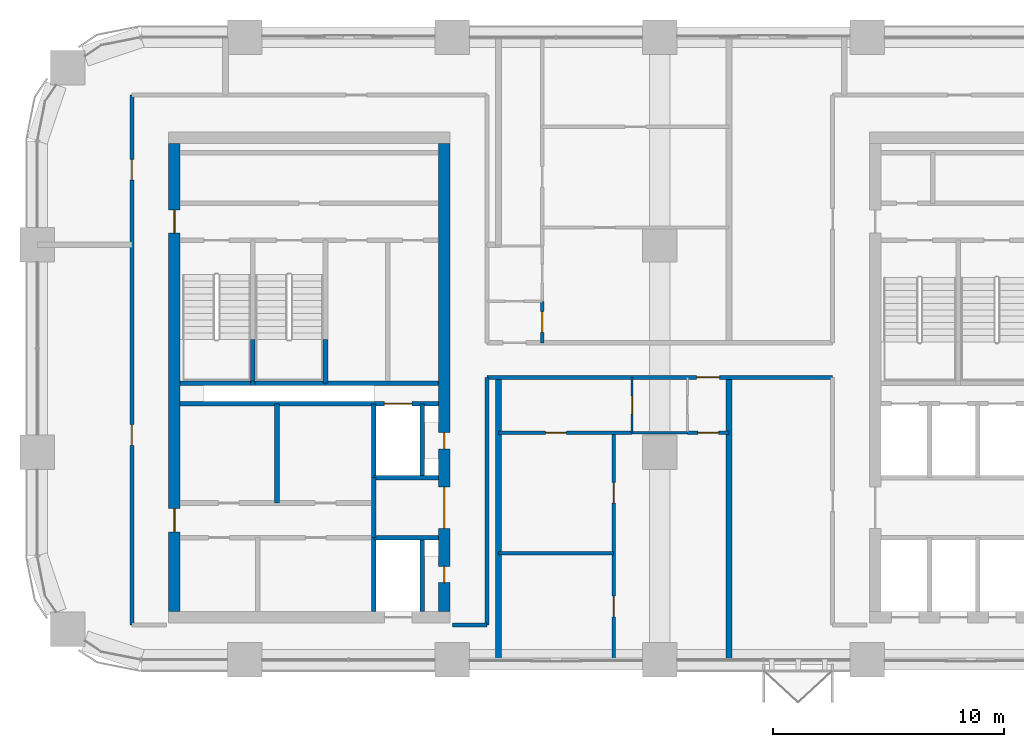
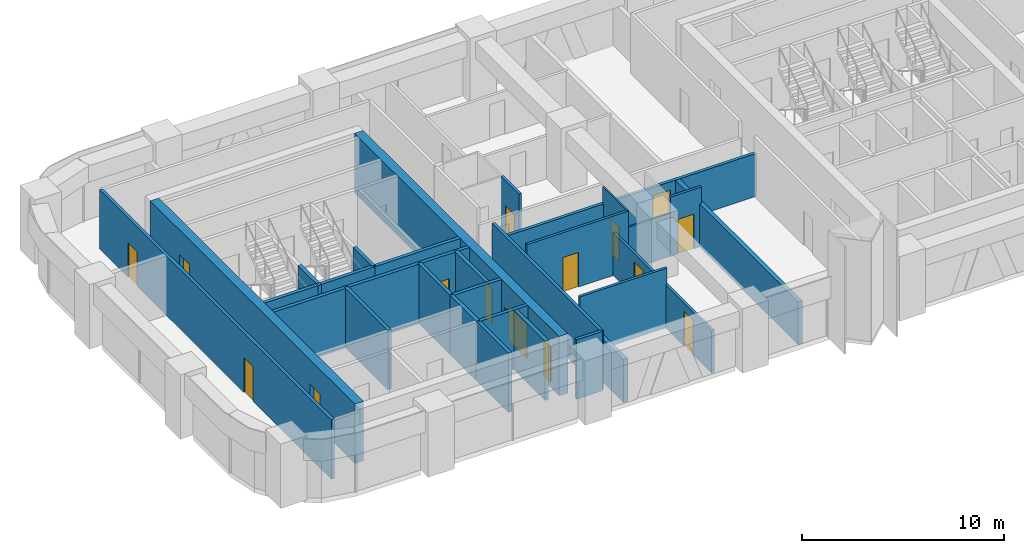
# One storey, part 9 of 14: 30 walls, 15 doors, 15 openings.
"""IFC4 building model written with IfcOpenShell, lengths in metres."""

from ifc_helpers import new_model, si_unit, direction, frame, frame_2d, origin, place, context, subcontext, project, spatial, rectangle, extrude, material, layer, layer_set, type_object, element, fill, save


model = new_model("IFC4")

# Units and contexts
model_context = context("Model", 3, precision=1e-05, world=origin(), true_north=direction((0.0, 1.0)))
body_context = subcontext(model_context, "Body", "Model", "MODEL_VIEW")
ifc_project = project(units=[si_unit("LENGTHUNIT", "METRE"), si_unit("AREAUNIT", "SQUARE_METRE"), si_unit("VOLUMEUNIT", "CUBIC_METRE"), si_unit("PLANEANGLEUNIT", "RADIAN"), si_unit("MASSUNIT", "GRAM", prefix="KILO")], contexts=[model_context])

# Site, building, storey
site_placement = place(None, origin())
site = spatial("IfcSite", under=ifc_project, at=site_placement, CompositionType="ELEMENT")
building_placement = place(site_placement, origin())
building = spatial("IfcBuilding", under=site, at=building_placement, Name="Tessera Arch", CompositionType="ELEMENT")
storey_placement = place(building_placement, frame((0.0, 0.0, 134.89990234375)))
storey = spatial("IfcBuildingStorey", under=building, at=storey_placement, Name="L31", CompositionType="ELEMENT", Elevation=134.89990234375)

# Walls
ifc_material_1 = material(Name="Gypsum board on steel stud", Category="steel")
ifc_layer_1 = layer(ifc_material_1, 0.125)
ifc_layer_set_1 = layer_set([ifc_layer_1], Name="Core partition 125 EI 60")
wall_type_1 = type_object("IfcWallType", Name="Core partition 125 EI 60", PredefinedType="PARTITIONING", material=ifc_layer_set_1)
wall_1_placement = place(storey_placement, frame((10.39990234375, 33.800048828125, 0.0), z_axis=(0.0, 0.0, 1.0), x_axis=(0.0, 1.0, 0.0)))
element("IfcWall", 1, at=wall_1_placement, inside=storey, type_object=wall_type_1, Name="L31 C2 partition wall 4", PredefinedType="PARTITIONING", context=body_context, shape_type="SweptSolid", body=[
    extrude(rectangle(XDim=4.300048828125, YDim=0.199951171875, at=frame_2d((2.14990234375, 0.0))), origin(), (0.0, 0.0, 1.0), 3.60009765625),
])
wall_2_placement = place(storey_placement, frame((14.60009765625, 32.300048828125, 0.0), z_axis=(0.0, 0.0, 1.0), x_axis=(0.0, 1.0, 0.0)))
element("IfcWall", 2, at=wall_2_placement, inside=storey, type_object=wall_type_1, Name="L31 C2 partition wall 7", PredefinedType="PARTITIONING", context=body_context, shape_type="SweptSolid", body=[
    extrude(rectangle(XDim=2.599853515625, YDim=0.199951171875, at=frame_2d((1.2998046875, 0.0))), origin(), (0.0, 0.0, 1.0), 3.60009765625),
])

# Wall, openings, doors
ifc_material_2 = material(Name="Concrete C60/75", Category="concrete")
ifc_layer_2 = layer(ifc_material_2, 0.5)
ifc_layer_set_2 = layer_set([ifc_layer_2], Name="Core shell wall 500 C60-75")
wall_type_2 = type_object("IfcWallType", Name="Core shell wall 500 C60-75", PredefinedType="SHEAR", material=ifc_layer_set_2)
wall_3_placement = place(storey_placement, frame((5.949951171875, 29.10009765625, 0.0), z_axis=(0.0, 0.0, 1.0), x_axis=(0.0, 1.0, 0.0)))
wall_3 = element("IfcWall", 3, at=wall_3_placement, inside=storey, type_object=wall_type_2, Name="L31 C2 core wall W", PredefinedType="SHEAR", context=body_context, shape_type="SweptSolid", body=[
    extrude(rectangle(XDim=20.2998046875, YDim=0.5, at=frame_2d((10.14990234375, 0.0))), origin(), (0.0, 0.0, 1.0), 3.60009765625),
])
opening_1_placement = place(wall_3_placement, frame((3.449951171875, 0.0, 0.0)))
opening_1 = element("IfcOpeningElement", 4, at=opening_1_placement, cuts=wall_3, Name="Opening L31-C27", PredefinedType="OPENING", context=body_context, shape_type="SweptSolid", body=[
    extrude(rectangle(XDim=1.0, YDim=2.10009765625, at=frame_2d((0.5, 1.050048828125))), frame((0.0, 0.260009765625, 0.0), z_axis=(0.0, -1.0, 0.0), x_axis=(1.0, 0.0, 0.0)), (0.0, 0.0, 1.0), 0.52001953125),
])
opening_2_placement = place(wall_3_placement, frame((16.39990234375, 0.0, 0.0)))
opening_2 = element("IfcOpeningElement", 5, at=opening_2_placement, cuts=wall_3, Name="Opening L31-C28", PredefinedType="OPENING", context=body_context, shape_type="SweptSolid", body=[
    extrude(rectangle(XDim=1.0, YDim=2.10009765625, at=frame_2d((0.5, 1.050048828125))), frame((0.0, 0.260009765625, 0.0), z_axis=(0.0, -1.0, 0.0), x_axis=(1.0, 0.0, 0.0)), (0.0, 0.0, 1.0), 0.52001953125),
])
ifc_material_3 = material(Name="Steel door leaf", Category="steel")
door_type_1 = type_object("IfcDoorType", Name="Corridor door FD60 1000 x 2100", OperationType="SINGLE_SWING_LEFT", PredefinedType="DOOR", material=ifc_material_3)
door_1_placement = place(opening_1_placement, origin())
door_1 = element("IfcDoor", 6, at=door_1_placement, inside=storey, type_object=door_type_1, Name="L31 C2 door 8 C27 type D12", OperationType="SINGLE_SWING_LEFT", OverallHeight=2.10009765625, OverallWidth=1.0, PredefinedType="DOOR", context=body_context, shape_type="SweptSolid", body=[
    extrude(rectangle(XDim=1.0, YDim=2.10009765625, at=frame_2d((0.5, 1.050048828125))), frame((0.0, 0.02490234375, 0.0), z_axis=(0.0, -1.0, 0.0), x_axis=(1.0, 0.0, 0.0)), (0.0, 0.0, 1.0), 0.050048828125),
])
fill(opening_1, door_1)
door_2_placement = place(opening_2_placement, origin())
door_2 = element("IfcDoor", 7, at=door_2_placement, inside=storey, type_object=door_type_1, Name="L31 C2 door 9 C28 type D12", OperationType="SINGLE_SWING_RIGHT", OverallHeight=2.10009765625, OverallWidth=1.0, PredefinedType="DOOR", context=body_context, shape_type="SweptSolid", body=[
    extrude(rectangle(XDim=1.0, YDim=2.10009765625, at=frame_2d((0.5, 1.050048828125))), frame((0.0, 0.02490234375, 0.0), z_axis=(0.0, -1.0, 0.0), x_axis=(1.0, 0.0, 0.0)), (0.0, 0.0, 1.0), 0.050048828125),
])
fill(opening_2, door_2)

wall_4_placement = place(storey_placement, frame((17.64990234375, 29.10009765625, 0.0), z_axis=(0.0, 0.0, 1.0), x_axis=(0.0, 1.0, 0.0)))
wall_4 = element("IfcWall", 8, at=wall_4_placement, inside=storey, type_object=wall_type_2, Name="L31 C2 core wall E", PredefinedType="SHEAR", context=body_context, shape_type="SweptSolid", body=[
    extrude(rectangle(XDim=20.2998046875, YDim=0.5, at=frame_2d((10.14990234375, 0.0))), origin(), (0.0, 0.0, 1.0), 3.60009765625),
])
opening_3_placement = place(wall_4_placement, frame((1.25, 0.0, 0.0)))
opening_3 = element("IfcOpeningElement", 9, at=opening_3_placement, cuts=wall_4, Name="Opening L31-C22", PredefinedType="OPENING", context=body_context, shape_type="SweptSolid", body=[
    extrude(rectangle(XDim=0.699951171875, YDim=2.10009765625, at=frame_2d((0.35009765625, 1.050048828125))), frame((0.0, 0.260009765625, 0.0), z_axis=(0.0, -1.0, 0.0), x_axis=(1.0, 0.0, 0.0)), (0.0, 0.0, 1.0), 0.52001953125),
])
opening_4_placement = place(wall_4_placement, frame((7.050048828125, 0.0, 0.0)))
opening_4 = element("IfcOpeningElement", 10, at=opening_4_placement, cuts=wall_4, Name="Opening L31-C23", PredefinedType="OPENING", context=body_context, shape_type="SweptSolid", body=[
    extrude(rectangle(XDim=0.699951171875, YDim=2.10009765625, at=frame_2d((0.35009765625, 1.050048828125))), frame((0.0, 0.260009765625, 0.0), z_axis=(0.0, -1.0, 0.0), x_axis=(1.0, 0.0, 0.0)), (0.0, 0.0, 1.0), 0.52001953125),
])
opening_5_placement = place(wall_4_placement, frame((3.60009765625, 0.0, 0.0)))
opening_5 = element("IfcOpeningElement", 11, at=opening_5_placement, cuts=wall_4, Name="Opening L31-C26", PredefinedType="OPENING", context=body_context, shape_type="SweptSolid", body=[
    extrude(rectangle(XDim=1.800048828125, YDim=2.10009765625, at=frame_2d((0.89990234375, 1.050048828125))), frame((0.0, 0.260009765625, 0.0), z_axis=(0.0, -1.0, 0.0), x_axis=(1.0, 0.0, 0.0)), (0.0, 0.0, 1.0), 0.52001953125),
])
ifc_material_4 = material(Name="Glazed steel door leaf", Category="steel")
door_type_2 = type_object("IfcDoorType", Name="Lobby double door FD30S 1800 x 2100", OperationType="DOUBLE_DOOR_SINGLE_SWING", PredefinedType="DOOR", material=ifc_material_4)
door_3_placement = place(opening_5_placement, origin())
door_3 = element("IfcDoor", 12, at=door_3_placement, inside=storey, type_object=door_type_2, Name="L31 C2 door 7 C26 type D06", OperationType="DOUBLE_DOOR_SINGLE_SWING", OverallHeight=2.10009765625, OverallWidth=1.800048828125, PredefinedType="DOOR", context=body_context, shape_type="SweptSolid", body=[
    extrude(rectangle(XDim=1.800048828125, YDim=2.10009765625, at=frame_2d((0.89990234375, 1.050048828125))), frame((0.0, 0.02490234375, 0.0), z_axis=(0.0, -1.0, 0.0), x_axis=(1.0, 0.0, 0.0)), (0.0, 0.0, 1.0), 0.050048828125),
])
fill(opening_5, door_3)
ifc_material_5 = material(Name="Steel door leaf", Category="steel")
door_type_3 = type_object("IfcDoorType", Name="Service shaft door FD60 700 x 2100", OperationType="SINGLE_SWING_LEFT", PredefinedType="DOOR", material=ifc_material_5)
door_4_placement = place(opening_3_placement, origin())
door_4 = element("IfcDoor", 13, at=door_4_placement, inside=storey, type_object=door_type_3, Name="L31 C2 door 3 C22 type D07", OperationType="SINGLE_SWING_LEFT", OverallHeight=2.10009765625, OverallWidth=0.699951171875, PredefinedType="DOOR", context=body_context, shape_type="SweptSolid", body=[
    extrude(rectangle(XDim=0.699951171875, YDim=2.10009765625, at=frame_2d((0.35009765625, 1.050048828125))), frame((0.0, 0.02490234375, 0.0), z_axis=(0.0, -1.0, 0.0), x_axis=(1.0, 0.0, 0.0)), (0.0, 0.0, 1.0), 0.050048828125),
])
fill(opening_3, door_4)
door_5_placement = place(opening_4_placement, origin())
door_5 = element("IfcDoor", 14, at=door_5_placement, inside=storey, type_object=door_type_3, Name="L31 C2 door 4 C23 type D07", OperationType="SINGLE_SWING_LEFT", OverallHeight=2.10009765625, OverallWidth=0.699951171875, PredefinedType="DOOR", context=body_context, shape_type="SweptSolid", body=[
    extrude(rectangle(XDim=0.699951171875, YDim=2.10009765625, at=frame_2d((0.35009765625, 1.050048828125))), frame((0.0, 0.02490234375, 0.0), z_axis=(0.0, -1.0, 0.0), x_axis=(1.0, 0.0, 0.0)), (0.0, 0.0, 1.0), 0.050048828125),
])
fill(opening_4, door_5)

# Wall
ifc_material_6 = material(Name="Gypsum board on deep steel stud with mineral wool", Category="steel")
ifc_layer_3 = layer(ifc_material_6, 0.175048828125)
ifc_layer_set_3 = layer_set([ifc_layer_3], Name="Corridor wall 175 EI 60")
wall_type_3 = type_object("IfcWallType", Name="Corridor wall 175 EI 60", PredefinedType="PARTITIONING", material=ifc_layer_set_3)
wall_5_placement = place(storey_placement, frame((18.0, 28.5, 0.0), z_axis=(0.0, 0.0, 1.0), x_axis=(1.0, 0.0, 0.0)))
element("IfcWall", 15, at=wall_5_placement, inside=storey, type_object=wall_type_3, Name="L31 partition 2", PredefinedType="PARTITIONING", context=body_context, shape_type="SweptSolid", body=[
    extrude(rectangle(XDim=1.5, YDim=0.175048828125, at=frame_2d((0.75, 0.0))), origin(), (0.0, 0.0, 1.0), 3.60009765625),
])

# Wall, opening, door
wall_6_placement = place(storey_placement, frame((19.5, 39.25, 0.0), z_axis=(0.0, 0.0, 1.0), x_axis=(1.0, 0.0, 0.0)))
wall_6 = element("IfcWall", 16, at=wall_6_placement, inside=storey, type_object=wall_type_3, Name="L31 partition 5", PredefinedType="PARTITIONING", context=body_context, shape_type="SweptSolid", body=[
    extrude(rectangle(XDim=15.0, YDim=0.175048828125, at=frame_2d((7.5, 0.0))), origin(), (0.0, 0.0, 1.0), 2.60009765625),
])
opening_6_placement = place(wall_6_placement, frame((9.10009765625, 0.0, 0.0)))
opening_6 = element("IfcOpeningElement", 17, at=opening_6_placement, cuts=wall_6, Name="Opening L31-D003", PredefinedType="OPENING", context=body_context, shape_type="SweptSolid", body=[
    extrude(rectangle(XDim=1.0, YDim=2.10009765625, at=frame_2d((0.5, 1.050048828125))), frame((0.0, 0.097412109375, 0.0), z_axis=(0.0, -1.0, 0.0), x_axis=(1.0, 0.0, 0.0)), (0.0, 0.0, 1.0), 0.195068359375),
])
ifc_material_7 = material(Name="Fire-rated door leaf")
door_type_4 = type_object("IfcDoorType", Name="Entrance door FD30S 1000 x 2100", OperationType="SINGLE_SWING_LEFT", PredefinedType="DOOR", material=ifc_material_7)
door_6_placement = place(opening_6_placement, origin())
door_6 = element("IfcDoor", 18, at=door_6_placement, inside=storey, type_object=door_type_4, Name="L31 door D003 type D03", OperationType="SINGLE_SWING_LEFT", OverallHeight=2.10009765625, OverallWidth=1.0, PredefinedType="DOOR", context=body_context, shape_type="SweptSolid", body=[
    extrude(rectangle(XDim=1.0, YDim=2.10009765625, at=frame_2d((0.5, 1.050048828125))), frame((0.0, 0.02490234375, 0.0), z_axis=(0.0, -1.0, 0.0), x_axis=(1.0, 0.0, 0.0)), (0.0, 0.0, 1.0), 0.050048828125),
])
fill(opening_6, door_6)

# Wall, openings, doors
wall_7_placement = place(storey_placement, frame((4.10009765625, 28.5, 0.0), z_axis=(0.0, 0.0, 1.0), x_axis=(0.0, 1.0, 0.0)))
wall_7 = element("IfcWall", 19, at=wall_7_placement, inside=storey, type_object=wall_type_3, Name="L31 partition 9", PredefinedType="PARTITIONING", context=body_context, shape_type="SweptSolid", body=[
    extrude(rectangle(XDim=23.0, YDim=0.175048828125, at=frame_2d((11.5, 0.0))), origin(), (0.0, 0.0, 1.0), 3.60009765625),
])
opening_7_placement = place(wall_7_placement, frame((7.800048828125, 0.0, 0.0)))
opening_7 = element("IfcOpeningElement", 20, at=opening_7_placement, cuts=wall_7, Name="Opening L31-D010", PredefinedType="OPENING", context=body_context, shape_type="SweptSolid", body=[
    extrude(rectangle(XDim=0.89990234375, YDim=2.10009765625, at=frame_2d((0.449951171875, 1.050048828125))), frame((0.0, 0.097412109375, 0.0), z_axis=(0.0, -1.0, 0.0), x_axis=(1.0, 0.0, 0.0)), (0.0, 0.0, 1.0), 0.195068359375),
])
opening_8_placement = place(wall_7_placement, frame((19.300048828125, 0.0, 0.0)))
opening_8 = element("IfcOpeningElement", 21, at=opening_8_placement, cuts=wall_7, Name="Opening L31-D020", PredefinedType="OPENING", context=body_context, shape_type="SweptSolid", body=[
    extrude(rectangle(XDim=0.89990234375, YDim=2.10009765625, at=frame_2d((0.449951171875, 1.050048828125))), frame((0.0, 0.097412109375, 0.0), z_axis=(0.0, -1.0, 0.0), x_axis=(1.0, 0.0, 0.0)), (0.0, 0.0, 1.0), 0.195068359375),
])
ifc_material_8 = material(Name="Timber door leaf", Category="wood")
door_type_5 = type_object("IfcDoorType", Name="Room door 900 x 2100", OperationType="SINGLE_SWING_LEFT", PredefinedType="DOOR", material=ifc_material_8)
door_7_placement = place(opening_7_placement, origin())
door_7 = element("IfcDoor", 22, at=door_7_placement, inside=storey, type_object=door_type_5, Name="L31 door D010 type D01", OperationType="SINGLE_SWING_LEFT", OverallHeight=2.10009765625, OverallWidth=0.89990234375, PredefinedType="DOOR", context=body_context, shape_type="SweptSolid", body=[
    extrude(rectangle(XDim=0.89990234375, YDim=2.10009765625, at=frame_2d((0.449951171875, 1.050048828125))), frame((0.0, 0.02490234375, 0.0), z_axis=(0.0, -1.0, 0.0), x_axis=(1.0, 0.0, 0.0)), (0.0, 0.0, 1.0), 0.050048828125),
])
fill(opening_7, door_7)
door_8_placement = place(opening_8_placement, origin())
door_8 = element("IfcDoor", 23, at=door_8_placement, inside=storey, type_object=door_type_5, Name="L31 door D020 type D01", OperationType="SINGLE_SWING_LEFT", OverallHeight=2.10009765625, OverallWidth=0.89990234375, PredefinedType="DOOR", context=body_context, shape_type="SweptSolid", body=[
    extrude(rectangle(XDim=0.89990234375, YDim=2.10009765625, at=frame_2d((0.449951171875, 1.050048828125))), frame((0.0, 0.02490234375, 0.0), z_axis=(0.0, -1.0, 0.0), x_axis=(1.0, 0.0, 0.0)), (0.0, 0.0, 1.0), 0.050048828125),
])
fill(opening_8, door_8)

# Walls
wall_8_placement = place(storey_placement, frame((19.5, 28.5, 0.0), z_axis=(0.0, 0.0, 1.0), x_axis=(0.0, 1.0, 0.0)))
element("IfcWall", 24, at=wall_8_placement, inside=storey, type_object=wall_type_3, Name="L31 partition 10", PredefinedType="PARTITIONING", context=body_context, shape_type="SweptSolid", body=[
    extrude(rectangle(XDim=10.75, YDim=0.175048828125, at=frame_2d((5.375, 0.0))), origin(), (0.0, 0.0, 1.0), 3.60009765625),
])
ifc_material_9 = material(Name="Gypsum board on steel stud", Category="steel")
ifc_layer_4 = layer(ifc_material_9, 0.14990234375)
ifc_layer_set_4 = layer_set([ifc_layer_4], Name="Partition 150")
wall_type_4 = type_object("IfcWallType", Name="Partition 150", PredefinedType="PARTITIONING", material=ifc_layer_set_4)
wall_9_placement = place(storey_placement, frame((20.0, 31.62890625, 0.0), z_axis=(0.0, 0.0, 1.0), x_axis=(1.0, 0.0, 0.0)))
element("IfcWall", 25, at=wall_9_placement, inside=storey, type_object=wall_type_4, Name="L31 partition 16", PredefinedType="PARTITIONING", context=body_context, shape_type="SweptSolid", body=[
    extrude(rectangle(XDim=5.0, YDim=0.14990234375, at=frame_2d((2.5, 0.0))), origin(), (0.0, 0.0, 1.0), 3.60009765625),
])

# Wall, opening, door
wall_10_placement = place(storey_placement, frame((20.0, 36.85009765625, 0.0), z_axis=(0.0, 0.0, 1.0), x_axis=(1.0, 0.0, 0.0)))
wall_10 = element("IfcWall", 26, at=wall_10_placement, inside=storey, type_object=wall_type_4, Name="L31 partition 17", PredefinedType="PARTITIONING", context=body_context, shape_type="SweptSolid", body=[
    extrude(rectangle(XDim=5.800048828125, YDim=0.14990234375, at=frame_2d((2.89990234375, 0.0))), origin(), (0.0, 0.0, 1.0), 3.60009765625),
])
opening_9_placement = place(wall_10_placement, frame((2.050048828125, 0.0, 0.0)))
opening_9 = element("IfcOpeningElement", 27, at=opening_9_placement, cuts=wall_10, Name="Opening L31-D007", PredefinedType="OPENING", context=body_context, shape_type="SweptSolid", body=[
    extrude(rectangle(XDim=0.89990234375, YDim=2.10009765625, at=frame_2d((0.449951171875, 1.050048828125))), frame((0.0, 0.0849609375, 0.0), z_axis=(0.0, -1.0, 0.0), x_axis=(1.0, 0.0, 0.0)), (0.0, 0.0, 1.0), 0.169921875),
])
door_9_placement = place(opening_9_placement, origin())
door_9 = element("IfcDoor", 28, at=door_9_placement, inside=storey, type_object=door_type_5, Name="L31 door D007 type D01", OperationType="SINGLE_SWING_RIGHT", OverallHeight=2.10009765625, OverallWidth=0.89990234375, PredefinedType="DOOR", context=body_context, shape_type="SweptSolid", body=[
    extrude(rectangle(XDim=0.89990234375, YDim=2.10009765625, at=frame_2d((0.449951171875, 1.050048828125))), frame((0.0, 0.02490234375, 0.0), z_axis=(0.0, -1.0, 0.0), x_axis=(1.0, 0.0, 0.0)), (0.0, 0.0, 1.0), 0.050048828125),
])
fill(opening_9, door_9)

wall_11_placement = place(storey_placement, frame((28.199951171875, 36.85009765625, 0.0), z_axis=(0.0, 0.0, 1.0), x_axis=(1.0, 0.0, 0.0)))
wall_11 = element("IfcWall", 29, at=wall_11_placement, inside=storey, type_object=wall_type_4, Name="L31 partition 18", PredefinedType="PARTITIONING", context=body_context, shape_type="SweptSolid", body=[
    extrude(rectangle(XDim=1.800048828125, YDim=0.14990234375, at=frame_2d((0.89990234375, 0.0))), origin(), (0.0, 0.0, 1.0), 3.60009765625),
])
opening_10_placement = place(wall_11_placement, frame((0.449951171875, 0.0, 0.0)))
opening_10 = element("IfcOpeningElement", 30, at=opening_10_placement, cuts=wall_11, Name="Opening L31-D004", PredefinedType="OPENING", context=body_context, shape_type="SweptSolid", body=[
    extrude(rectangle(XDim=0.89990234375, YDim=2.10009765625, at=frame_2d((0.449951171875, 1.050048828125))), frame((0.0, 0.0849609375, 0.0), z_axis=(0.0, -1.0, 0.0), x_axis=(1.0, 0.0, 0.0)), (0.0, 0.0, 1.0), 0.169921875),
])
door_10_placement = place(opening_10_placement, origin())
door_10 = element("IfcDoor", 31, at=door_10_placement, inside=storey, type_object=door_type_5, Name="L31 door D004 type D01", OperationType="SINGLE_SWING_RIGHT", OverallHeight=2.10009765625, OverallWidth=0.89990234375, PredefinedType="DOOR", context=body_context, shape_type="SweptSolid", body=[
    extrude(rectangle(XDim=0.89990234375, YDim=2.10009765625, at=frame_2d((0.449951171875, 1.050048828125))), frame((0.0, 0.02490234375, 0.0), z_axis=(0.0, -1.0, 0.0), x_axis=(1.0, 0.0, 0.0)), (0.0, 0.0, 1.0), 0.050048828125),
])
fill(opening_10, door_10)

wall_12_placement = place(storey_placement, frame((21.89990234375, 40.75, 0.0), z_axis=(0.0, 0.0, 1.0), x_axis=(0.0, 1.0, 0.0)))
wall_12 = element("IfcWall", 32, at=wall_12_placement, inside=storey, type_object=wall_type_4, Name="L31 partition 21", PredefinedType="PARTITIONING", context=body_context, shape_type="SweptSolid", body=[
    extrude(rectangle(XDim=1.800048828125, YDim=0.14990234375, at=frame_2d((0.89990234375, 0.0))), origin(), (0.0, 0.0, 1.0), 3.60009765625),
])
opening_11_placement = place(wall_12_placement, frame((0.449951171875, 0.0, 0.0)))
opening_11 = element("IfcOpeningElement", 33, at=opening_11_placement, cuts=wall_12, Name="Opening L31-D013", PredefinedType="OPENING", context=body_context, shape_type="SweptSolid", body=[
    extrude(rectangle(XDim=0.89990234375, YDim=2.10009765625, at=frame_2d((0.449951171875, 1.050048828125))), frame((0.0, 0.0849609375, 0.0), z_axis=(0.0, -1.0, 0.0), x_axis=(1.0, 0.0, 0.0)), (0.0, 0.0, 1.0), 0.169921875),
])
door_11_placement = place(opening_11_placement, origin())
door_11 = element("IfcDoor", 34, at=door_11_placement, inside=storey, type_object=door_type_5, Name="L31 door D013 type D01", OperationType="SINGLE_SWING_LEFT", OverallHeight=2.10009765625, OverallWidth=0.89990234375, PredefinedType="DOOR", context=body_context, shape_type="SweptSolid", body=[
    extrude(rectangle(XDim=0.89990234375, YDim=2.10009765625, at=frame_2d((0.449951171875, 1.050048828125))), frame((0.0, 0.02490234375, 0.0), z_axis=(0.0, -1.0, 0.0), x_axis=(1.0, 0.0, 0.0)), (0.0, 0.0, 1.0), 0.050048828125),
])
fill(opening_11, door_11)

# Wall, openings, doors
wall_13_placement = place(storey_placement, frame((25.0, 27.0, 0.0), z_axis=(0.0, 0.0, 1.0), x_axis=(0.0, 1.0, 0.0)))
wall_13 = element("IfcWall", 35, at=wall_13_placement, inside=storey, type_object=wall_type_4, Name="L31 partition 23", PredefinedType="PARTITIONING", context=body_context, shape_type="SweptSolid", body=[
    extrude(rectangle(XDim=9.85009765625, YDim=0.14990234375, at=frame_2d((4.925048828125, 0.0))), origin(), (0.0, 0.0, 1.0), 2.60009765625),
])
opening_12_placement = place(wall_13_placement, frame((6.789794921875, 0.0, 0.0)))
opening_12 = element("IfcOpeningElement", 36, at=opening_12_placement, cuts=wall_13, Name="Opening L31-D008", PredefinedType="OPENING", context=body_context, shape_type="SweptSolid", body=[
    extrude(rectangle(XDim=0.89990234375, YDim=2.10009765625, at=frame_2d((0.449951171875, 1.050048828125))), frame((0.0, 0.0849609375, 0.0), z_axis=(0.0, -1.0, 0.0), x_axis=(1.0, 0.0, 0.0)), (0.0, 0.0, 1.0), 0.169921875),
])
opening_13_placement = place(wall_13_placement, frame((1.86474609375, 0.0, 0.0)))
opening_13 = element("IfcOpeningElement", 37, at=opening_13_placement, cuts=wall_13, Name="Opening L31-D009", PredefinedType="OPENING", context=body_context, shape_type="SweptSolid", body=[
    extrude(rectangle(XDim=0.89990234375, YDim=2.10009765625, at=frame_2d((0.449951171875, 1.050048828125))), frame((0.0, 0.0849609375, 0.0), z_axis=(0.0, -1.0, 0.0), x_axis=(1.0, 0.0, 0.0)), (0.0, 0.0, 1.0), 0.169921875),
])
door_12_placement = place(opening_12_placement, origin())
door_12 = element("IfcDoor", 38, at=door_12_placement, inside=storey, type_object=door_type_5, Name="L31 door D008 type D01", OperationType="SINGLE_SWING_RIGHT", OverallHeight=2.10009765625, OverallWidth=0.89990234375, PredefinedType="DOOR", context=body_context, shape_type="SweptSolid", body=[
    extrude(rectangle(XDim=0.89990234375, YDim=2.10009765625, at=frame_2d((0.449951171875, 1.050048828125))), frame((0.0, 0.02490234375, 0.0), z_axis=(0.0, -1.0, 0.0), x_axis=(1.0, 0.0, 0.0)), (0.0, 0.0, 1.0), 0.050048828125),
])
fill(opening_12, door_12)
door_13_placement = place(opening_13_placement, origin())
door_13 = element("IfcDoor", 39, at=door_13_placement, inside=storey, type_object=door_type_5, Name="L31 door D009 type D01", OperationType="SINGLE_SWING_RIGHT", OverallHeight=2.10009765625, OverallWidth=0.89990234375, PredefinedType="DOOR", context=body_context, shape_type="SweptSolid", body=[
    extrude(rectangle(XDim=0.89990234375, YDim=2.10009765625, at=frame_2d((0.449951171875, 1.050048828125))), frame((0.0, 0.02490234375, 0.0), z_axis=(0.0, -1.0, 0.0), x_axis=(1.0, 0.0, 0.0)), (0.0, 0.0, 1.0), 0.050048828125),
])
fill(opening_13, door_13)

# Walls
ifc_material_10 = material(Name="Double gypsum board on twin steel stud with acoustic mineral wool", Category="steel")
ifc_layer_5 = layer(ifc_material_10, 0.25)
ifc_layer_set_5 = layer_set([ifc_layer_5], Name="Party wall 250 EI 60")
wall_type_5 = type_object("IfcWallType", Name="Party wall 250 EI 60", PredefinedType="PARTITIONING", material=ifc_layer_set_5)
for number, where, z_axis, x_axis, name in (
    (40, (20.0, 27.0, 0.0), (0.0, 0.0, 1.0), (0.0, 1.0, 0.0), "L31 partition 29"),
    (41, (30.0, 27.0, 0.0), (0.0, 0.0, 1.0), (0.0, 1.0, 0.0), "L31 partition 31"),
):
    element("IfcWall", number, at=place(storey_placement, frame(where, z_axis=z_axis, x_axis=x_axis)), inside=storey, type_object=wall_type_5, Name=name, PredefinedType="PARTITIONING", context=body_context, shape_type="SweptSolid", body=[
        extrude(rectangle(XDim=12.25, YDim=0.25, at=frame_2d((6.125, 0.0))), origin(), (0.0, 0.0, 1.0), 2.60009765625),
    ])
ifc_material_11 = material(Name="Concrete C40/50", Category="concrete")
ifc_layer_6 = layer(ifc_material_11, 0.199951171875)
ifc_layer_set_6 = layer_set([ifc_layer_6], Name="Shaft wall 200 EI 120")
wall_type_6 = type_object("IfcWallType", Name="Shaft wall 200 EI 120", PredefinedType="SOLIDWALL", material=ifc_layer_set_6)
wall_14_placement = place(storey_placement, frame((14.60009765625, 29.10009765625, 0.0), z_axis=(0.0, 0.0, 1.0), x_axis=(0.0, 1.0, 0.0)))
element("IfcWall", 42, at=wall_14_placement, inside=storey, type_object=wall_type_6, Name="L31 C2 shaft wall 8", PredefinedType="SOLIDWALL", context=body_context, shape_type="SweptSolid", body=[
    extrude(rectangle(XDim=3.199951171875, YDim=0.199951171875, at=frame_2d((1.60009765625, 0.0))), origin(), (0.0, 0.0, 1.0), 3.60009765625),
])
wall_15_placement = place(storey_placement, frame((14.60009765625, 34.89990234375, 0.0), z_axis=(0.0, 0.0, 1.0), x_axis=(0.0, 1.0, 0.0)))
element("IfcWall", 43, at=wall_15_placement, inside=storey, type_object=wall_type_6, Name="L31 C2 shaft wall 9", PredefinedType="SOLIDWALL", context=body_context, shape_type="SweptSolid", body=[
    extrude(rectangle(XDim=3.2001953125, YDim=0.199951171875, at=frame_2d((1.60009765625, 0.0))), origin(), (0.0, 0.0, 1.0), 3.60009765625),
])
wall_16_placement = place(storey_placement, frame((16.699951171875, 29.10009765625, 0.0), z_axis=(0.0, 0.0, 1.0), x_axis=(0.0, 1.0, 0.0)))
element("IfcWall", 44, at=wall_16_placement, inside=storey, type_object=wall_type_6, Name="L31 C2 shaft wall 11", PredefinedType="SOLIDWALL", context=body_context, shape_type="SweptSolid", body=[
    extrude(rectangle(XDim=3.199951171875, YDim=0.199951171875, at=frame_2d((1.60009765625, 0.0))), origin(), (0.0, 0.0, 1.0), 3.60009765625),
])
wall_17_placement = place(storey_placement, frame((16.699951171875, 34.89990234375, 0.0), z_axis=(0.0, 0.0, 1.0), x_axis=(0.0, 1.0, 0.0)))
element("IfcWall", 45, at=wall_17_placement, inside=storey, type_object=wall_type_6, Name="L31 C2 shaft wall 12", PredefinedType="SOLIDWALL", context=body_context, shape_type="SweptSolid", body=[
    extrude(rectangle(XDim=3.2001953125, YDim=0.199951171875, at=frame_2d((1.60009765625, 0.0))), origin(), (0.0, 0.0, 1.0), 3.60009765625),
])
for number, where, z_axis, x_axis, name in (
    (46, (14.60009765625, 32.300048828125, 0.0), (0.0, 0.0, 1.0), (1.0, 0.0, 0.0), "L31 C2 shaft wall 14"),
    (47, (14.60009765625, 34.89990234375, 0.0), (0.0, 0.0, 1.0), (1.0, 0.0, 0.0), "L31 C2 shaft wall 16"),
):
    element("IfcWall", number, at=place(storey_placement, frame(where, z_axis=z_axis, x_axis=x_axis)), inside=storey, type_object=wall_type_6, Name=name, PredefinedType="SOLIDWALL", context=body_context, shape_type="SweptSolid", body=[
        extrude(rectangle(XDim=2.7998046875, YDim=0.199951171875, at=frame_2d((1.39990234375, 0.0))), origin(), (0.0, 0.0, 1.0), 3.60009765625),
    ])

# Wall, opening, door
wall_18_placement = place(storey_placement, frame((6.199951171875, 38.10009765625, 0.0), z_axis=(0.0, 0.0, 1.0), x_axis=(1.0, 0.0, 0.0)))
wall_18 = element("IfcWall", 48, at=wall_18_placement, inside=storey, type_object=wall_type_6, Name="L31 C2 shaft wall 17", PredefinedType="SOLIDWALL", context=body_context, shape_type="SweptSolid", body=[
    extrude(rectangle(XDim=11.199951171875, YDim=0.199951171875, at=frame_2d((5.60009765625, 0.0))), origin(), (0.0, 0.0, 1.0), 3.60009765625),
])
opening_14_placement = place(wall_18_placement, frame((8.85009765625, 0.0, 0.0)))
opening_14 = element("IfcOpeningElement", 49, at=opening_14_placement, cuts=wall_18, Name="Opening L31-C21", PredefinedType="OPENING", context=body_context, shape_type="SweptSolid", body=[
    extrude(rectangle(XDim=1.199951171875, YDim=2.10009765625, at=frame_2d((0.60009765625, 1.050048828125))), frame((0.0, 0.10986328125, 0.0), z_axis=(0.0, -1.0, 0.0), x_axis=(1.0, 0.0, 0.0)), (0.0, 0.0, 1.0), 0.219970703125),
])
ifc_material_12 = material(Name="Stainless steel AISI 304", Category="steel")
door_type_6 = type_object("IfcDoorType", Name="Sliding landing door 1200 x 2100", OperationType="SLIDING_TO_LEFT", PredefinedType="DOOR", material=ifc_material_12)
door_14_placement = place(opening_14_placement, origin())
door_14 = element("IfcDoor", 50, at=door_14_placement, inside=storey, type_object=door_type_6, Name="L31 HR8 lift landing door C21 type LD", OperationType="SLIDING_TO_LEFT", OverallHeight=2.10009765625, OverallWidth=1.199951171875, PredefinedType="DOOR", context=body_context, shape_type="SweptSolid", body=[
    extrude(rectangle(XDim=1.199951171875, YDim=2.10009765625, at=frame_2d((0.60009765625, 1.050048828125))), frame((0.0, 0.02490234375, 0.0), z_axis=(0.0, -1.0, 0.0), x_axis=(1.0, 0.0, 0.0)), (0.0, 0.0, 1.0), 0.050048828125),
])
fill(opening_14, door_14)

# Walls
wall_19_placement = place(storey_placement, frame((12.5, 39.0, 0.0), z_axis=(0.0, 0.0, 1.0), x_axis=(1.0, 0.0, 0.0)))
element("IfcWall", 51, at=wall_19_placement, inside=storey, type_object=wall_type_6, Name="L31 C2 shaft wall 18", PredefinedType="SOLIDWALL", context=body_context, shape_type="SweptSolid", body=[
    extrude(rectangle(XDim=4.89990234375, YDim=0.199951171875, at=frame_2d((2.449951171875, 0.0))), origin(), (0.0, 0.0, 1.0), 3.60009765625),
])
ifc_material_13 = material(Name="Concrete C40/50", Category="concrete")
ifc_layer_7 = layer(ifc_material_13, 0.199951171875)
ifc_layer_set_7 = layer_set([ifc_layer_7], Name="Stair well wall 200 REI 180")
wall_type_7 = type_object("IfcWallType", Name="Stair well wall 200 REI 180", PredefinedType="SOLIDWALL", material=ifc_layer_set_7)
for number, where, z_axis, x_axis, name in (
    (52, (9.35009765625, 39.0, 0.0), (0.0, 0.0, 1.0), (0.0, 1.0, 0.0), "L31 C2 shaft wall 1"),
    (53, (12.5, 39.0, 0.0), (0.0, 0.0, 1.0), (0.0, 1.0, 0.0), "L31 C2 shaft wall 5"),
):
    element("IfcWall", number, at=place(storey_placement, frame(where, z_axis=z_axis, x_axis=x_axis)), inside=storey, type_object=wall_type_7, Name=name, PredefinedType="SOLIDWALL", context=body_context, shape_type="SweptSolid", body=[
        extrude(rectangle(XDim=1.89990234375, YDim=0.199951171875, at=frame_2d((0.949951171875, 0.0))), origin(), (0.0, 0.0, 1.0), 3.60009765625),
    ])
wall_20_placement = place(storey_placement, frame((6.199951171875, 39.0, 0.0), z_axis=(0.0, 0.0, 1.0), x_axis=(1.0, 0.0, 0.0)))
element("IfcWall", 54, at=wall_20_placement, inside=storey, type_object=wall_type_7, Name="L31 C2 shaft wall 19", PredefinedType="SOLIDWALL", context=body_context, shape_type="SweptSolid", body=[
    extrude(rectangle(XDim=3.050048828125, YDim=0.199951171875, at=frame_2d((1.52490234375, 0.0))), origin(), (0.0, 0.0, 1.0), 3.60009765625),
])
wall_21_placement = place(storey_placement, frame((9.25, 39.0, 0.0), z_axis=(0.0, 0.0, 1.0), x_axis=(1.0, 0.0, 0.0)))
element("IfcWall", 55, at=wall_21_placement, inside=storey, type_object=wall_type_7, Name="L31 C2 shaft wall 20", PredefinedType="SOLIDWALL", context=body_context, shape_type="SweptSolid", body=[
    extrude(rectangle(XDim=0.199951171875, YDim=0.199951171875, at=frame_2d((0.10009765625, 0.0))), origin(), (0.0, 0.0, 1.0), 3.60009765625),
])
wall_22_placement = place(storey_placement, frame((9.449951171875, 39.0, 0.0), z_axis=(0.0, 0.0, 1.0), x_axis=(1.0, 0.0, 0.0)))
element("IfcWall", 56, at=wall_22_placement, inside=storey, type_object=wall_type_7, Name="L31 C2 shaft wall 21", PredefinedType="SOLIDWALL", context=body_context, shape_type="SweptSolid", body=[
    extrude(rectangle(XDim=3.050048828125, YDim=0.199951171875, at=frame_2d((1.52490234375, 0.0))), origin(), (0.0, 0.0, 1.0), 3.60009765625),
])
ifc_material_14 = material(Name="Moisture-resistant board on pre-plumbed steel stud", Category="steel")
ifc_layer_8 = layer(ifc_material_14, 0.10009765625)
ifc_layer_set_8 = layer_set([ifc_layer_8], Name="Wet wall 100")
wall_type_8 = type_object("IfcWallType", Name="Wet wall 100", PredefinedType="PARTITIONING", material=ifc_layer_set_8)
wall_23_placement = place(storey_placement, frame((25.800048828125, 36.85009765625, 0.0), z_axis=(0.0, 0.0, 1.0), x_axis=(1.0, 0.0, 0.0)))
element("IfcWall", 57, at=wall_23_placement, inside=storey, type_object=wall_type_8, Name="L31 partition 36", PredefinedType="PARTITIONING", context=body_context, shape_type="SweptSolid", body=[
    extrude(rectangle(XDim=2.39990234375, YDim=0.10009765625, at=frame_2d((1.199951171875, 0.0))), origin(), (0.0, 0.0, 1.0), 2.60009765625),
])

# Wall, opening, door
wall_24_placement = place(storey_placement, frame((25.800048828125, 36.85009765625, 0.0), z_axis=(0.0, 0.0, 1.0), x_axis=(0.0, 1.0, 0.0)))
wall_24 = element("IfcWall", 58, at=wall_24_placement, inside=storey, type_object=wall_type_8, Name="L31 partition 40", PredefinedType="PARTITIONING", context=body_context, shape_type="SweptSolid", body=[
    extrude(rectangle(XDim=2.39990234375, YDim=0.10009765625, at=frame_2d((1.199951171875, 0.0))), origin(), (0.0, 0.0, 1.0), 3.60009765625),
])
opening_15_placement = place(wall_24_placement, frame((0.800048828125, 0.0, 0.0)))
opening_15 = element("IfcOpeningElement", 59, at=opening_15_placement, cuts=wall_24, Name="Opening L31-D006", PredefinedType="OPENING", context=body_context, shape_type="SweptSolid", body=[
    extrude(rectangle(XDim=0.800048828125, YDim=2.10009765625, at=frame_2d((0.39990234375, 1.050048828125))), frame((0.0, 0.06005859375, 0.0), z_axis=(0.0, -1.0, 0.0), x_axis=(1.0, 0.0, 0.0)), (0.0, 0.0, 1.0), 0.1201171875),
])
ifc_material_15 = material(Name="Timber door leaf", Category="wood")
door_type_7 = type_object("IfcDoorType", Name="En-suite door 800 x 2100", OperationType="SINGLE_SWING_LEFT", PredefinedType="DOOR", material=ifc_material_15)
door_15_placement = place(opening_15_placement, origin())
door_15 = element("IfcDoor", 60, at=door_15_placement, inside=storey, type_object=door_type_7, Name="L31 door D006 type D02", OperationType="SINGLE_SWING_RIGHT", OverallHeight=2.10009765625, OverallWidth=0.800048828125, PredefinedType="DOOR", context=body_context, shape_type="SweptSolid", body=[
    extrude(rectangle(XDim=0.800048828125, YDim=2.10009765625, at=frame_2d((0.39990234375, 1.050048828125))), frame((0.0, 0.02490234375, 0.0), z_axis=(0.0, -1.0, 0.0), x_axis=(1.0, 0.0, 0.0)), (0.0, 0.0, 1.0), 0.050048828125),
])
fill(opening_15, door_15)

save(model, "model.ifc")
